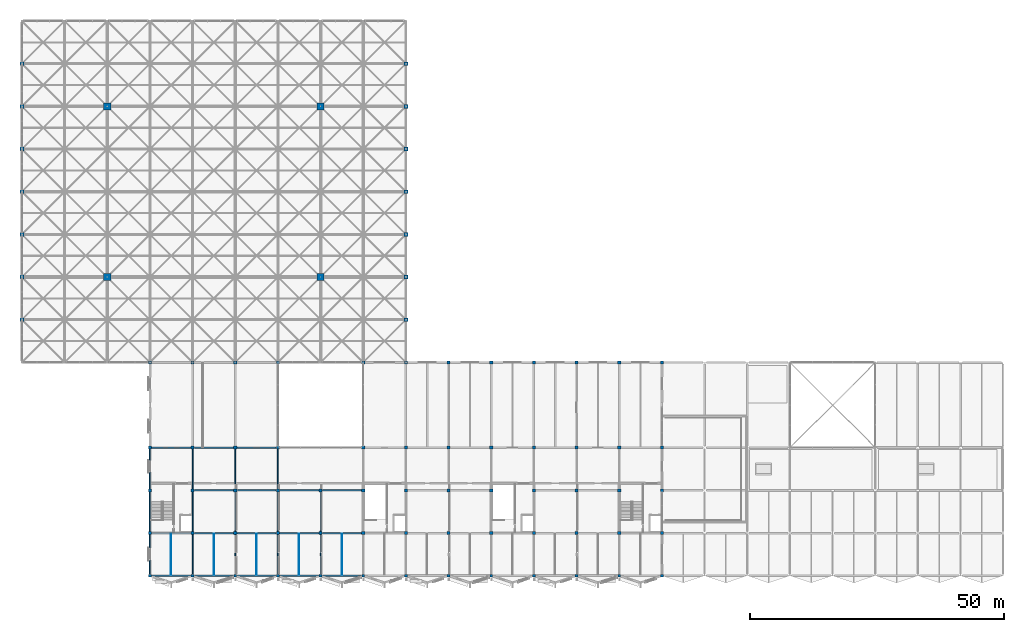
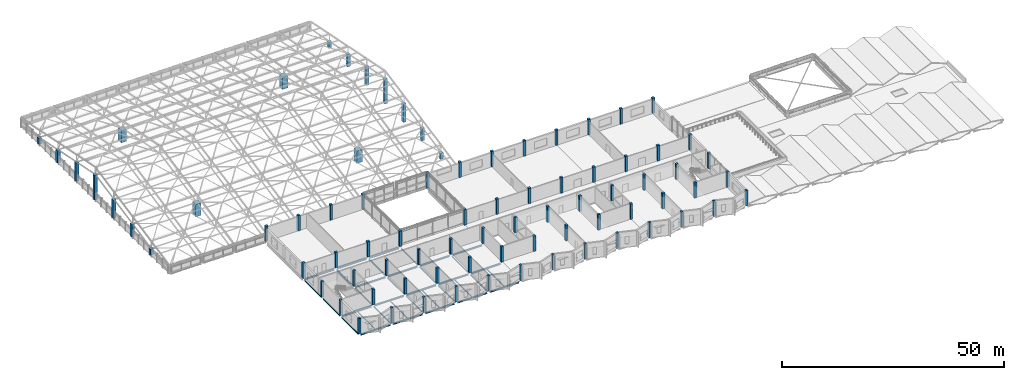
# One storey, part 1 of 81: 81 columns, 36 beams.
"""IFC4 building model written with IfcOpenShell, lengths in metres."""

from ifc_helpers import new_model, si_unit, direction, frame, origin, origin_2d, place, context, subcontext, project, spatial, rectangle, i_section, extrude, material, material_profile, profile_set, type_object, element, save


model = new_model("IFC4")

# Units and contexts
model_context = context("Model", 3, precision=1e-05, world=origin(), true_north=direction((0.0, 1.0)))
body_context = subcontext(model_context, "Body", "Model", "MODEL_VIEW")
ifc_project = project(units=[si_unit("LENGTHUNIT", "METRE"), si_unit("AREAUNIT", "SQUARE_METRE"), si_unit("VOLUMEUNIT", "CUBIC_METRE"), si_unit("PLANEANGLEUNIT", "RADIAN"), si_unit("MASSUNIT", "GRAM", prefix="KILO")], contexts=[model_context])

# Site, building, storey
site_placement = place(None, origin())
site = spatial("IfcSite", under=ifc_project, at=site_placement, CompositionType="ELEMENT")
building_placement = place(site_placement, origin())
building = spatial("IfcBuilding", under=site, at=building_placement, Name="Qawsi Khor Wholesale Market", CompositionType="ELEMENT")
storey_placement = place(building_placement, frame((0.0, 0.0, 16.199951171875)))
storey = spatial("IfcBuildingStorey", under=building, at=storey_placement, Name="L03", CompositionType="ELEMENT", Elevation=16.199951171875)

# Columns
ifc_material_1 = material(Name="Concrete C40/50", Category="concrete")
ifc_material_profile_1 = material_profile(ifc_material_1, rectangle(XDim=0.550048828125, YDim=0.550048828125, at=origin_2d()), Name="RC 550x550")
ifc_profile_set_1 = profile_set([ifc_material_profile_1], Name="Concrete C40/50")
column_type_1 = type_object("IfcColumnType", Name="Column RC 550x550", PredefinedType="COLUMN", material=ifc_profile_set_1)
for number, where, z_axis, x_axis, name in (
    (1, (25.199951171875, 0.0, 0.0), (0.0, 0.0, 1.0), (1.0, 0.0, 0.0), "Column RC 550x550 L03 (3,0)"),
    (2, (33.60009765625, 0.0, 0.0), (0.0, 0.0, 1.0), (1.0, 0.0, 0.0), "Column RC 550x550 L03 (4,0)"),
    (3, (42.0, 0.0, 0.0), (0.0, 0.0, 1.0), (1.0, 0.0, 0.0), "Column RC 550x550 L03 (5,0)"),
    (4, (50.39990234375, 0.0, 0.0), (0.0, 0.0, 1.0), (1.0, 0.0, 0.0), "Column RC 550x550 L03 (6,0)"),
    (5, (58.800048828125, 0.0, 0.0), (0.0, 0.0, 1.0), (1.0, 0.0, 0.0), "Column RC 550x550 L03 (7,0)"),
    (6, (67.199951171875, 0.0, 0.0), (0.0, 0.0, 1.0), (1.0, 0.0, 0.0), "Column RC 550x550 L03 (8,0)"),
    (7, (75.60009765625, 0.0, 0.0), (0.0, 0.0, 1.0), (1.0, 0.0, 0.0), "Column RC 550x550 L03 (9,0)"),
    (8, (84.0, 0.0, 0.0), (0.0, 0.0, 1.0), (1.0, 0.0, 0.0), "Column RC 550x550 L03 (10,0)"),
    (9, (92.39990234375, 0.0, 0.0), (0.0, 0.0, 1.0), (1.0, 0.0, 0.0), "Column RC 550x550 L03 (11,0)"),
    (10, (100.800048828125, 0.0, 0.0), (0.0, 0.0, 1.0), (1.0, 0.0, 0.0), "Column RC 550x550 L03 (12,0)"),
    (11, (109.199951171875, 0.0, 0.0), (0.0, 0.0, 1.0), (1.0, 0.0, 0.0), "Column RC 550x550 L03 (13,0)"),
    (12, (117.60009765625, 0.0, 0.0), (0.0, 0.0, 1.0), (1.0, 0.0, 0.0), "Column RC 550x550 L03 (14,0)"),
    (13, (126.0, 0.0, 0.0), (0.0, 0.0, 1.0), (1.0, 0.0, 0.0), "Column RC 550x550 L03 (15,0)"),
):
    element("IfcColumn", number, at=place(storey_placement, frame(where, z_axis=z_axis, x_axis=x_axis)), inside=storey, type_object=column_type_1, Name=name, PredefinedType="COLUMN", context=body_context, shape_type="SweptSolid", body=[
        extrude(rectangle(XDim=0.550048828125, YDim=0.550048828125, at=origin_2d()), origin(), (0.0, 0.0, 1.0), 4.260009765625),
    ])
ifc_material_profile_2 = material_profile(ifc_material_1, rectangle(XDim=0.60009765625, YDim=0.60009765625, at=origin_2d()), Name="RC 600x600")
ifc_profile_set_2 = profile_set([ifc_material_profile_2], Name="Concrete C40/50")
column_type_2 = type_object("IfcColumnType", Name="Column RC 600x600", PredefinedType="COLUMN", material=ifc_profile_set_2)
for number, where, z_axis, x_axis, name in (
    (14, (25.199951171875, 8.39990234375, 0.0), (0.0, 0.0, 1.0), (1.0, 0.0, 0.0), "Column RC 600x600 L03 (3,1)"),
    (15, (25.199951171875, 16.800048828125, 0.0), (0.0, 0.0, 1.0), (1.0, 0.0, 0.0), "Column RC 600x600 L03 (3,2)"),
    (16, (25.199951171875, 25.199951171875, 0.0), (0.0, 0.0, 1.0), (1.0, 0.0, 0.0), "Column RC 600x600 L03 (3,3)"),
    (17, (25.199951171875, 42.0, 0.0), (0.0, 0.0, 1.0), (1.0, 0.0, 0.0), "Column RC 600x600 L03 (3,5)"),
    (18, (33.60009765625, 8.39990234375, 0.0), (0.0, 0.0, 1.0), (1.0, 0.0, 0.0), "Column RC 600x600 L03 (4,1)"),
    (19, (33.60009765625, 16.800048828125, 0.0), (0.0, 0.0, 1.0), (1.0, 0.0, 0.0), "Column RC 600x600 L03 (4,2)"),
    (20, (33.60009765625, 25.199951171875, 0.0), (0.0, 0.0, 1.0), (1.0, 0.0, 0.0), "Column RC 600x600 L03 (4,3)"),
    (21, (33.60009765625, 42.0, 0.0), (0.0, 0.0, 1.0), (1.0, 0.0, 0.0), "Column RC 600x600 L03 (4,5)"),
    (22, (42.0, 8.39990234375, 0.0), (0.0, 0.0, 1.0), (1.0, 0.0, 0.0), "Column RC 600x600 L03 (5,1)"),
    (23, (42.0, 16.800048828125, 0.0), (0.0, 0.0, 1.0), (1.0, 0.0, 0.0), "Column RC 600x600 L03 (5,2)"),
    (24, (42.0, 25.199951171875, 0.0), (0.0, 0.0, 1.0), (1.0, 0.0, 0.0), "Column RC 600x600 L03 (5,3)"),
    (25, (42.0, 42.0, 0.0), (0.0, 0.0, 1.0), (1.0, 0.0, 0.0), "Column RC 600x600 L03 (5,5)"),
    (26, (50.39990234375, 8.39990234375, 0.0), (0.0, 0.0, 1.0), (1.0, 0.0, 0.0), "Column RC 600x600 L03 (6,1)"),
    (27, (50.39990234375, 16.800048828125, 0.0), (0.0, 0.0, 1.0), (1.0, 0.0, 0.0), "Column RC 600x600 L03 (6,2)"),
    (28, (50.39990234375, 25.199951171875, 0.0), (0.0, 0.0, 1.0), (1.0, 0.0, 0.0), "Column RC 600x600 L03 (6,3)"),
    (29, (50.39990234375, 42.0, 0.0), (0.0, 0.0, 1.0), (1.0, 0.0, 0.0), "Column RC 600x600 L03 (6,5)"),
    (30, (58.800048828125, 8.39990234375, 0.0), (0.0, 0.0, 1.0), (1.0, 0.0, 0.0), "Column RC 600x600 L03 (7,1)"),
    (31, (58.800048828125, 16.800048828125, 0.0), (0.0, 0.0, 1.0), (1.0, 0.0, 0.0), "Column RC 600x600 L03 (7,2)"),
    (32, (67.199951171875, 8.39990234375, 0.0), (0.0, 0.0, 1.0), (1.0, 0.0, 0.0), "Column RC 600x600 L03 (8,1)"),
    (33, (67.199951171875, 16.800048828125, 0.0), (0.0, 0.0, 1.0), (1.0, 0.0, 0.0), "Column RC 600x600 L03 (8,2)"),
    (34, (67.199951171875, 25.199951171875, 0.0), (0.0, 0.0, 1.0), (1.0, 0.0, 0.0), "Column RC 600x600 L03 (8,3)"),
    (35, (67.199951171875, 42.0, 0.0), (0.0, 0.0, 1.0), (1.0, 0.0, 0.0), "Column RC 600x600 L03 (8,5)"),
    (36, (75.60009765625, 8.39990234375, 0.0), (0.0, 0.0, 1.0), (1.0, 0.0, 0.0), "Column RC 600x600 L03 (9,1)"),
    (37, (75.60009765625, 16.800048828125, 0.0), (0.0, 0.0, 1.0), (1.0, 0.0, 0.0), "Column RC 600x600 L03 (9,2)"),
    (38, (75.60009765625, 25.199951171875, 0.0), (0.0, 0.0, 1.0), (1.0, 0.0, 0.0), "Column RC 600x600 L03 (9,3)"),
    (39, (75.60009765625, 42.0, 0.0), (0.0, 0.0, 1.0), (1.0, 0.0, 0.0), "Column RC 600x600 L03 (9,5)"),
    (40, (84.0, 8.39990234375, 0.0), (0.0, 0.0, 1.0), (1.0, 0.0, 0.0), "Column RC 600x600 L03 (10,1)"),
    (41, (84.0, 16.800048828125, 0.0), (0.0, 0.0, 1.0), (1.0, 0.0, 0.0), "Column RC 600x600 L03 (10,2)"),
    (42, (84.0, 25.199951171875, 0.0), (0.0, 0.0, 1.0), (1.0, 0.0, 0.0), "Column RC 600x600 L03 (10,3)"),
    (43, (84.0, 42.0, 0.0), (0.0, 0.0, 1.0), (1.0, 0.0, 0.0), "Column RC 600x600 L03 (10,5)"),
    (44, (92.39990234375, 8.39990234375, 0.0), (0.0, 0.0, 1.0), (1.0, 0.0, 0.0), "Column RC 600x600 L03 (11,1)"),
    (45, (92.39990234375, 16.800048828125, 0.0), (0.0, 0.0, 1.0), (1.0, 0.0, 0.0), "Column RC 600x600 L03 (11,2)"),
    (46, (92.39990234375, 25.199951171875, 0.0), (0.0, 0.0, 1.0), (1.0, 0.0, 0.0), "Column RC 600x600 L03 (11,3)"),
    (47, (92.39990234375, 42.0, 0.0), (0.0, 0.0, 1.0), (1.0, 0.0, 0.0), "Column RC 600x600 L03 (11,5)"),
    (48, (100.800048828125, 8.39990234375, 0.0), (0.0, 0.0, 1.0), (1.0, 0.0, 0.0), "Column RC 600x600 L03 (12,1)"),
    (49, (100.800048828125, 16.800048828125, 0.0), (0.0, 0.0, 1.0), (1.0, 0.0, 0.0), "Column RC 600x600 L03 (12,2)"),
    (50, (100.800048828125, 25.199951171875, 0.0), (0.0, 0.0, 1.0), (1.0, 0.0, 0.0), "Column RC 600x600 L03 (12,3)"),
    (51, (100.800048828125, 42.0, 0.0), (0.0, 0.0, 1.0), (1.0, 0.0, 0.0), "Column RC 600x600 L03 (12,5)"),
    (52, (109.199951171875, 8.39990234375, 0.0), (0.0, 0.0, 1.0), (1.0, 0.0, 0.0), "Column RC 600x600 L03 (13,1)"),
    (53, (109.199951171875, 16.800048828125, 0.0), (0.0, 0.0, 1.0), (1.0, 0.0, 0.0), "Column RC 600x600 L03 (13,2)"),
    (54, (109.199951171875, 25.199951171875, 0.0), (0.0, 0.0, 1.0), (1.0, 0.0, 0.0), "Column RC 600x600 L03 (13,3)"),
    (55, (109.199951171875, 42.0, 0.0), (0.0, 0.0, 1.0), (1.0, 0.0, 0.0), "Column RC 600x600 L03 (13,5)"),
    (56, (117.60009765625, 8.39990234375, 0.0), (0.0, 0.0, 1.0), (1.0, 0.0, 0.0), "Column RC 600x600 L03 (14,1)"),
    (57, (117.60009765625, 16.800048828125, 0.0), (0.0, 0.0, 1.0), (1.0, 0.0, 0.0), "Column RC 600x600 L03 (14,2)"),
    (58, (117.60009765625, 25.199951171875, 0.0), (0.0, 0.0, 1.0), (1.0, 0.0, 0.0), "Column RC 600x600 L03 (14,3)"),
    (59, (117.60009765625, 42.0, 0.0), (0.0, 0.0, 1.0), (1.0, 0.0, 0.0), "Column RC 600x600 L03 (14,5)"),
    (60, (126.0, 8.39990234375, 0.0), (0.0, 0.0, 1.0), (1.0, 0.0, 0.0), "Column RC 600x600 L03 (15,1)"),
    (61, (126.0, 16.800048828125, 0.0), (0.0, 0.0, 1.0), (1.0, 0.0, 0.0), "Column RC 600x600 L03 (15,2)"),
    (62, (126.0, 25.199951171875, 0.0), (0.0, 0.0, 1.0), (1.0, 0.0, 0.0), "Column RC 600x600 L03 (15,3)"),
    (63, (126.0, 42.0, 0.0), (0.0, 0.0, 1.0), (1.0, 0.0, 0.0), "Column RC 600x600 L03 (15,5)"),
):
    element("IfcColumn", number, at=place(storey_placement, frame(where, z_axis=z_axis, x_axis=x_axis)), inside=storey, type_object=column_type_2, Name=name, PredefinedType="COLUMN", context=body_context, shape_type="SweptSolid", body=[
        extrude(rectangle(XDim=0.60009765625, YDim=0.60009765625, at=origin_2d()), origin(), (0.0, 0.0, 1.0), 4.260009765625),
    ])
ifc_material_profile_3 = material_profile(ifc_material_1, rectangle(XDim=0.75, YDim=0.75, at=origin_2d()), Name="RC 750x750")
ifc_profile_set_3 = profile_set([ifc_material_profile_3], Name="Concrete C40/50")
column_type_3 = type_object("IfcColumnType", Name="Column RC 750x750", PredefinedType="COLUMN", material=ifc_profile_set_3)
column_1_placement = place(storey_placement, frame((0.0, 50.39990234375, 0.0), z_axis=(0.0, 0.0, 1.0), x_axis=(1.0, 0.0, 0.0)))
element("IfcColumn", 64, at=column_1_placement, inside=storey, type_object=column_type_3, Name="Space frame support pier WH (0,6)", PredefinedType="COLUMN", context=body_context, shape_type="SweptSolid", body=[
    extrude(rectangle(XDim=0.75, YDim=0.75, at=origin_2d()), origin(), (0.0, 0.0, 1.0), 1.670166015625),
])
column_2_placement = place(storey_placement, frame((0.0, 58.800048828125, 0.0), z_axis=(0.0, 0.0, 1.0), x_axis=(1.0, 0.0, 0.0)))
element("IfcColumn", 65, at=column_2_placement, inside=storey, type_object=column_type_3, Name="Space frame support pier WH (0,7)", PredefinedType="COLUMN", context=body_context, shape_type="SweptSolid", body=[
    extrude(rectangle(XDim=0.75, YDim=0.75, at=origin_2d()), origin(), (0.0, 0.0, 1.0), 3.3701171875),
])
column_3_placement = place(storey_placement, frame((0.0, 67.199951171875, 0.0), z_axis=(0.0, 0.0, 1.0), x_axis=(1.0, 0.0, 0.0)))
element("IfcColumn", 66, at=column_3_placement, inside=storey, type_object=column_type_3, Name="Space frame support pier WH (0,8)", PredefinedType="COLUMN", context=body_context, shape_type="SweptSolid", body=[
    extrude(rectangle(XDim=0.75, YDim=0.75, at=origin_2d()), origin(), (0.0, 0.0, 1.0), 5.070068359375),
])
column_4_placement = place(storey_placement, frame((0.0, 75.60009765625, 0.0), z_axis=(0.0, 0.0, 1.0), x_axis=(1.0, 0.0, 0.0)))
element("IfcColumn", 67, at=column_4_placement, inside=storey, type_object=column_type_3, Name="Space frame support pier WH (0,9)", PredefinedType="COLUMN", context=body_context, shape_type="SweptSolid", body=[
    extrude(rectangle(XDim=0.75, YDim=0.75, at=origin_2d()), origin(), (0.0, 0.0, 1.0), 6.77001953125),
])
column_5_placement = place(storey_placement, frame((0.0, 84.0, 0.0), z_axis=(0.0, 0.0, 1.0), x_axis=(1.0, 0.0, 0.0)))
element("IfcColumn", 68, at=column_5_placement, inside=storey, type_object=column_type_3, Name="Space frame support pier WH (0,10)", PredefinedType="COLUMN", context=body_context, shape_type="SweptSolid", body=[
    extrude(rectangle(XDim=0.75, YDim=0.75, at=origin_2d()), origin(), (0.0, 0.0, 1.0), 5.070068359375),
])
column_6_placement = place(storey_placement, frame((0.0, 92.39990234375, 0.0), z_axis=(0.0, 0.0, 1.0), x_axis=(1.0, 0.0, 0.0)))
element("IfcColumn", 69, at=column_6_placement, inside=storey, type_object=column_type_3, Name="Space frame support pier WH (0,11)", PredefinedType="COLUMN", context=body_context, shape_type="SweptSolid", body=[
    extrude(rectangle(XDim=0.75, YDim=0.75, at=origin_2d()), origin(), (0.0, 0.0, 1.0), 3.3701171875),
])
for number, where, z_axis, x_axis, name in (
    (70, (0.0, 100.800048828125, 0.0), (0.0, 0.0, 1.0), (1.0, 0.0, 0.0), "Space frame support pier WH (0,12)"),
    (71, (75.60009765625, 50.39990234375, 0.0), (0.0, 0.0, 1.0), (1.0, 0.0, 0.0), "Space frame support pier WH (9,6)"),
):
    element("IfcColumn", number, at=place(storey_placement, frame(where, z_axis=z_axis, x_axis=x_axis)), inside=storey, type_object=column_type_3, Name=name, PredefinedType="COLUMN", context=body_context, shape_type="SweptSolid", body=[
        extrude(rectangle(XDim=0.75, YDim=0.75, at=origin_2d()), origin(), (0.0, 0.0, 1.0), 1.670166015625),
    ])
column_7_placement = place(storey_placement, frame((75.60009765625, 58.800048828125, 0.0), z_axis=(0.0, 0.0, 1.0), x_axis=(1.0, 0.0, 0.0)))
element("IfcColumn", 72, at=column_7_placement, inside=storey, type_object=column_type_3, Name="Space frame support pier WH (9,7)", PredefinedType="COLUMN", context=body_context, shape_type="SweptSolid", body=[
    extrude(rectangle(XDim=0.75, YDim=0.75, at=origin_2d()), origin(), (0.0, 0.0, 1.0), 3.3701171875),
])
column_8_placement = place(storey_placement, frame((75.60009765625, 67.199951171875, 0.0), z_axis=(0.0, 0.0, 1.0), x_axis=(1.0, 0.0, 0.0)))
element("IfcColumn", 73, at=column_8_placement, inside=storey, type_object=column_type_3, Name="Space frame support pier WH (9,8)", PredefinedType="COLUMN", context=body_context, shape_type="SweptSolid", body=[
    extrude(rectangle(XDim=0.75, YDim=0.75, at=origin_2d()), origin(), (0.0, 0.0, 1.0), 5.070068359375),
])
column_9_placement = place(storey_placement, frame((75.60009765625, 75.60009765625, 0.0), z_axis=(0.0, 0.0, 1.0), x_axis=(1.0, 0.0, 0.0)))
element("IfcColumn", 74, at=column_9_placement, inside=storey, type_object=column_type_3, Name="Space frame support pier WH (9,9)", PredefinedType="COLUMN", context=body_context, shape_type="SweptSolid", body=[
    extrude(rectangle(XDim=0.75, YDim=0.75, at=origin_2d()), origin(), (0.0, 0.0, 1.0), 6.77001953125),
])
column_10_placement = place(storey_placement, frame((75.60009765625, 84.0, 0.0), z_axis=(0.0, 0.0, 1.0), x_axis=(1.0, 0.0, 0.0)))
element("IfcColumn", 75, at=column_10_placement, inside=storey, type_object=column_type_3, Name="Space frame support pier WH (9,10)", PredefinedType="COLUMN", context=body_context, shape_type="SweptSolid", body=[
    extrude(rectangle(XDim=0.75, YDim=0.75, at=origin_2d()), origin(), (0.0, 0.0, 1.0), 5.070068359375),
])
column_11_placement = place(storey_placement, frame((75.60009765625, 92.39990234375, 0.0), z_axis=(0.0, 0.0, 1.0), x_axis=(1.0, 0.0, 0.0)))
element("IfcColumn", 76, at=column_11_placement, inside=storey, type_object=column_type_3, Name="Space frame support pier WH (9,11)", PredefinedType="COLUMN", context=body_context, shape_type="SweptSolid", body=[
    extrude(rectangle(XDim=0.75, YDim=0.75, at=origin_2d()), origin(), (0.0, 0.0, 1.0), 3.3701171875),
])
column_12_placement = place(storey_placement, frame((75.60009765625, 100.800048828125, 0.0), z_axis=(0.0, 0.0, 1.0), x_axis=(1.0, 0.0, 0.0)))
element("IfcColumn", 77, at=column_12_placement, inside=storey, type_object=column_type_3, Name="Space frame support pier WH (9,12)", PredefinedType="COLUMN", context=body_context, shape_type="SweptSolid", body=[
    extrude(rectangle(XDim=0.75, YDim=0.75, at=origin_2d()), origin(), (0.0, 0.0, 1.0), 1.670166015625),
])
ifc_material_profile_4 = material_profile(ifc_material_1, rectangle(XDim=1.39990234375, YDim=1.39990234375, at=origin_2d()), Name="RC 1400x1400")
ifc_profile_set_4 = profile_set([ifc_material_profile_4], Name="Concrete C40/50")
column_type_4 = type_object("IfcColumnType", Name="Hall Mega-Column RC 1400x1400", PredefinedType="COLUMN", material=ifc_profile_set_4)
for number, where, z_axis, x_axis, name in (
    (78, (16.800048828125, 58.800048828125, 0.0), (0.0, 0.0, 1.0), (1.0, 0.0, 0.0), "Space frame support pier WH (2,7)"),
    (79, (16.800048828125, 92.39990234375, 0.0), (0.0, 0.0, 1.0), (1.0, 0.0, 0.0), "Space frame support pier WH (2,11)"),
    (80, (58.800048828125, 58.800048828125, 0.0), (0.0, 0.0, 1.0), (1.0, 0.0, 0.0), "Space frame support pier WH (7,7)"),
    (81, (58.800048828125, 92.39990234375, 0.0), (0.0, 0.0, 1.0), (1.0, 0.0, 0.0), "Space frame support pier WH (7,11)"),
):
    element("IfcColumn", number, at=place(storey_placement, frame(where, z_axis=z_axis, x_axis=x_axis)), inside=storey, type_object=column_type_4, Name=name, PredefinedType="COLUMN", context=body_context, shape_type="SweptSolid", body=[
        extrude(rectangle(XDim=1.39990234375, YDim=1.39990234375, at=origin_2d()), origin(), (0.0, 0.0, 1.0), 3.3701171875),
    ])

# Beams
ifc_material_2 = material(Name="Steel S355", Category="steel")
ifc_material_profile_5 = material_profile(ifc_material_2, i_section(OverallWidth=0.300048828125, OverallDepth=0.39990234375, WebThickness=0.013427734375, FlangeThickness=0.02392578125, FilletRadius=0.027099609375, at=origin_2d()), Name="HEB 400")
ifc_profile_set_5 = profile_set([ifc_material_profile_5], Name="Steel S355")
beam_type_1 = type_object("IfcBeamType", Name="Heavy Edge Girder HEB 400", PredefinedType="BEAM", material=ifc_profile_set_5)
for number, where, z_axis, x_axis, name in (
    (82, (25.550048828125, 0.0, -0.47998046875), (1.0, 0.0, 0.0), (0.0, 1.0, 0.0), "BM-X-L03-03_+00"),
    (83, (33.949951171875, 0.0, -0.47998046875), (1.0, 0.0, 0.0), (0.0, 1.0, 0.0), "BM-X-L03-04_+00"),
    (84, (42.35009765625, 0.0, -0.47998046875), (1.0, 0.0, 0.0), (0.0, 1.0, 0.0), "BM-X-L03-05_+00"),
    (85, (50.75, 0.0, -0.47998046875), (1.0, 0.0, 0.0), (0.0, 1.0, 0.0), "BM-X-L03-06_+00"),
):
    element("IfcBeam", number, at=place(storey_placement, frame(where, z_axis=z_axis, x_axis=x_axis)), inside=storey, type_object=beam_type_1, Name=name, PredefinedType="BEAM", context=body_context, shape_type="SweptSolid", body=[
        extrude(i_section(OverallWidth=0.300048828125, OverallDepth=0.39990234375, WebThickness=0.013427734375, FlangeThickness=0.02392578125, FilletRadius=0.027099609375, at=origin_2d()), origin(), (0.0, 0.0, 1.0), 7.699951171875),
    ])
beam_1_placement = place(storey_placement, frame((59.14990234375, 0.0, -0.47998046875), z_axis=(1.0, 0.0, 0.0), x_axis=(0.0, 1.0, 0.0)))
element("IfcBeam", 86, at=beam_1_placement, inside=storey, type_object=beam_type_1, Name="BM-X-L03-07_+00", PredefinedType="BEAM", context=body_context, shape_type="SweptSolid", body=[
    extrude(i_section(OverallWidth=0.300048828125, OverallDepth=0.39990234375, WebThickness=0.013427734375, FlangeThickness=0.02392578125, FilletRadius=0.027099609375, at=origin_2d()), origin(), (0.0, 0.0, 1.0), 7.7001953125),
])
ifc_material_profile_6 = material_profile(ifc_material_2, i_section(OverallWidth=0.300048828125, OverallDepth=0.43994140625, WebThickness=0.011474609375, FlangeThickness=0.02099609375, FilletRadius=0.027099609375, at=origin_2d()), Name="HEA 450")
ifc_profile_set_6 = profile_set([ifc_material_profile_6], Name="Steel S355")
beam_type_2 = type_object("IfcBeamType", Name="Primary Girder HEA 450", PredefinedType="BEAM", material=ifc_profile_set_6)
for number, where, z_axis, x_axis, name in (
    (87, (25.550048828125, 8.39990234375, -0.5), (1.0, 0.0, 0.0), (0.0, 1.0, 0.0), "BM-X-L03-03_+01"),
    (88, (25.550048828125, 25.199951171875, -0.5), (1.0, 0.0, 0.0), (0.0, 1.0, 0.0), "BM-X-L03-03_+03"),
    (89, (33.949951171875, 8.39990234375, -0.5), (1.0, 0.0, 0.0), (0.0, 1.0, 0.0), "BM-X-L03-04_+01"),
    (90, (33.949951171875, 16.800048828125, -0.5), (1.0, 0.0, 0.0), (0.0, 1.0, 0.0), "BM-X-L03-04_+02"),
    (91, (33.949951171875, 25.199951171875, -0.5), (1.0, 0.0, 0.0), (0.0, 1.0, 0.0), "BM-X-L03-04_+03"),
    (92, (42.35009765625, 8.39990234375, -0.5), (1.0, 0.0, 0.0), (0.0, 1.0, 0.0), "BM-X-L03-05_+01"),
    (93, (42.35009765625, 16.800048828125, -0.5), (1.0, 0.0, 0.0), (0.0, 1.0, 0.0), "BM-X-L03-05_+02"),
    (94, (42.35009765625, 25.199951171875, -0.5), (1.0, 0.0, 0.0), (0.0, 1.0, 0.0), "BM-X-L03-05_+03"),
    (95, (50.75, 8.39990234375, -0.5), (1.0, 0.0, 0.0), (0.0, 1.0, 0.0), "BM-X-L03-06_+01"),
    (96, (50.75, 16.800048828125, -0.5), (1.0, 0.0, 0.0), (0.0, 1.0, 0.0), "BM-X-L03-06_+02"),
):
    element("IfcBeam", number, at=place(storey_placement, frame(where, z_axis=z_axis, x_axis=x_axis)), inside=storey, type_object=beam_type_2, Name=name, PredefinedType="BEAM", context=body_context, shape_type="SweptSolid", body=[
        extrude(i_section(OverallWidth=0.300048828125, OverallDepth=0.43994140625, WebThickness=0.011474609375, FlangeThickness=0.02099609375, FilletRadius=0.027099609375, at=origin_2d()), origin(), (0.0, 0.0, 1.0), 7.699951171875),
    ])
for number, where, z_axis, x_axis, name in (
    (97, (59.14990234375, 8.39990234375, -0.5), (1.0, 0.0, 0.0), (0.0, 1.0, 0.0), "BM-X-L03-07_+01"),
    (98, (59.14990234375, 16.800048828125, -0.5), (1.0, 0.0, 0.0), (0.0, 1.0, 0.0), "BM-X-L03-07_+02"),
):
    element("IfcBeam", number, at=place(storey_placement, frame(where, z_axis=z_axis, x_axis=x_axis)), inside=storey, type_object=beam_type_2, Name=name, PredefinedType="BEAM", context=body_context, shape_type="SweptSolid", body=[
        extrude(i_section(OverallWidth=0.300048828125, OverallDepth=0.43994140625, WebThickness=0.011474609375, FlangeThickness=0.02099609375, FilletRadius=0.027099609375, at=origin_2d()), origin(), (0.0, 0.0, 1.0), 7.7001953125),
    ])
ifc_material_profile_7 = material_profile(ifc_material_2, i_section(OverallWidth=0.10009765625, OverallDepth=0.199951171875, WebThickness=0.005615234375, FlangeThickness=0.008544921875, FilletRadius=0.011962890625, at=origin_2d()), Name="IPE 200")
ifc_profile_set_7 = profile_set([ifc_material_profile_7], Name="Steel S355")
beam_type_3 = type_object("IfcBeamType", Name="Roof Deck Joist IPE 200", PredefinedType="JOIST", material=ifc_profile_set_7)
for number, where, z_axis, x_axis, name in (
    (99, (29.39990234375, 0.14990234375, -0.3798828125), (0.0, 1.0, 0.0), (-1.0, 0.0, 0.0), "JST-S-L03-03"),
    (100, (37.800048828125, 0.14990234375, -0.3798828125), (0.0, 1.0, 0.0), (-1.0, 0.0, 0.0), "JST-S-L03-04"),
    (101, (46.199951171875, 0.14990234375, -0.3798828125), (0.0, 1.0, 0.0), (-1.0, 0.0, 0.0), "JST-S-L03-05"),
    (102, (54.60009765625, 0.14990234375, -0.3798828125), (0.0, 1.0, 0.0), (-1.0, 0.0, 0.0), "JST-S-L03-06"),
    (103, (63.0, 0.14990234375, -0.3798828125), (0.0, 1.0, 0.0), (-1.0, 0.0, 0.0), "JST-S-L03-07"),
):
    element("IfcBeam", number, at=place(storey_placement, frame(where, z_axis=z_axis, x_axis=x_axis)), inside=storey, type_object=beam_type_3, Name=name, PredefinedType="JOIST", context=body_context, shape_type="SweptSolid", body=[
        extrude(i_section(OverallWidth=0.10009765625, OverallDepth=0.199951171875, WebThickness=0.005615234375, FlangeThickness=0.008544921875, FilletRadius=0.011962890625, at=origin_2d()), origin(), (0.0, 0.0, 1.0), 8.10009765625),
    ])
ifc_material_profile_8 = material_profile(ifc_material_2, i_section(OverallWidth=0.169921875, OverallDepth=0.360107421875, WebThickness=0.008056640625, FlangeThickness=0.0126953125, FilletRadius=0.01806640625, at=origin_2d()), Name="IPE 360")
ifc_profile_set_8 = profile_set([ifc_material_profile_8], Name="Steel S355")
beam_type_4 = type_object("IfcBeamType", Name="Secondary Beam IPE 360", PredefinedType="BEAM", material=ifc_profile_set_8)
for number, where, z_axis, x_axis, name in (
    (104, (25.199951171875, 0.35009765625, -0.4599609375), (0.0, 1.0, 0.0), (-1.0, 0.0, 0.0), "BM-Y-L03-03_+00"),
    (105, (25.199951171875, 8.75, -0.4599609375), (0.0, 1.0, 0.0), (-1.0, 0.0, 0.0), "BM-Y-L03-03_+01"),
):
    element("IfcBeam", number, at=place(storey_placement, frame(where, z_axis=z_axis, x_axis=x_axis)), inside=storey, type_object=beam_type_4, Name=name, PredefinedType="BEAM", context=body_context, shape_type="SweptSolid", body=[
        extrude(i_section(OverallWidth=0.169921875, OverallDepth=0.360107421875, WebThickness=0.008056640625, FlangeThickness=0.0126953125, FilletRadius=0.01806640625, at=origin_2d()), origin(), (0.0, 0.0, 1.0), 7.699951171875),
    ])
beam_2_placement = place(storey_placement, frame((25.199951171875, 17.14990234375, -0.4599609375), z_axis=(0.0, 1.0, 0.0), x_axis=(-1.0, 0.0, 0.0)))
element("IfcBeam", 106, at=beam_2_placement, inside=storey, type_object=beam_type_4, Name="BM-Y-L03-03_+02", PredefinedType="BEAM", context=body_context, shape_type="SweptSolid", body=[
    extrude(i_section(OverallWidth=0.169921875, OverallDepth=0.360107421875, WebThickness=0.008056640625, FlangeThickness=0.0126953125, FilletRadius=0.01806640625, at=origin_2d()), origin(), (0.0, 0.0, 1.0), 7.7001953125),
])
for number, where, z_axis, x_axis, name in (
    (107, (33.60009765625, 0.35009765625, -0.4599609375), (0.0, 1.0, 0.0), (-1.0, 0.0, 0.0), "BM-Y-L03-04_+00"),
    (108, (33.60009765625, 8.75, -0.4599609375), (0.0, 1.0, 0.0), (-1.0, 0.0, 0.0), "BM-Y-L03-04_+01"),
):
    element("IfcBeam", number, at=place(storey_placement, frame(where, z_axis=z_axis, x_axis=x_axis)), inside=storey, type_object=beam_type_4, Name=name, PredefinedType="BEAM", context=body_context, shape_type="SweptSolid", body=[
        extrude(i_section(OverallWidth=0.169921875, OverallDepth=0.360107421875, WebThickness=0.008056640625, FlangeThickness=0.0126953125, FilletRadius=0.01806640625, at=origin_2d()), origin(), (0.0, 0.0, 1.0), 7.699951171875),
    ])
beam_3_placement = place(storey_placement, frame((33.60009765625, 17.14990234375, -0.4599609375), z_axis=(0.0, 1.0, 0.0), x_axis=(-1.0, 0.0, 0.0)))
element("IfcBeam", 109, at=beam_3_placement, inside=storey, type_object=beam_type_4, Name="BM-Y-L03-04_+02", PredefinedType="BEAM", context=body_context, shape_type="SweptSolid", body=[
    extrude(i_section(OverallWidth=0.169921875, OverallDepth=0.360107421875, WebThickness=0.008056640625, FlangeThickness=0.0126953125, FilletRadius=0.01806640625, at=origin_2d()), origin(), (0.0, 0.0, 1.0), 7.7001953125),
])
for number, where, z_axis, x_axis, name in (
    (110, (42.0, 0.35009765625, -0.4599609375), (0.0, 1.0, 0.0), (-1.0, 0.0, 0.0), "BM-Y-L03-05_+00"),
    (111, (42.0, 8.75, -0.4599609375), (0.0, 1.0, 0.0), (-1.0, 0.0, 0.0), "BM-Y-L03-05_+01"),
):
    element("IfcBeam", number, at=place(storey_placement, frame(where, z_axis=z_axis, x_axis=x_axis)), inside=storey, type_object=beam_type_4, Name=name, PredefinedType="BEAM", context=body_context, shape_type="SweptSolid", body=[
        extrude(i_section(OverallWidth=0.169921875, OverallDepth=0.360107421875, WebThickness=0.008056640625, FlangeThickness=0.0126953125, FilletRadius=0.01806640625, at=origin_2d()), origin(), (0.0, 0.0, 1.0), 7.699951171875),
    ])
beam_4_placement = place(storey_placement, frame((42.0, 17.14990234375, -0.4599609375), z_axis=(0.0, 1.0, 0.0), x_axis=(-1.0, 0.0, 0.0)))
element("IfcBeam", 112, at=beam_4_placement, inside=storey, type_object=beam_type_4, Name="BM-Y-L03-05_+02", PredefinedType="BEAM", context=body_context, shape_type="SweptSolid", body=[
    extrude(i_section(OverallWidth=0.169921875, OverallDepth=0.360107421875, WebThickness=0.008056640625, FlangeThickness=0.0126953125, FilletRadius=0.01806640625, at=origin_2d()), origin(), (0.0, 0.0, 1.0), 7.7001953125),
])
for number, where, z_axis, x_axis, name in (
    (113, (50.39990234375, 0.35009765625, -0.4599609375), (0.0, 1.0, 0.0), (-1.0, 0.0, 0.0), "BM-Y-L03-06_+00"),
    (114, (50.39990234375, 8.75, -0.4599609375), (0.0, 1.0, 0.0), (-1.0, 0.0, 0.0), "BM-Y-L03-06_+01"),
):
    element("IfcBeam", number, at=place(storey_placement, frame(where, z_axis=z_axis, x_axis=x_axis)), inside=storey, type_object=beam_type_4, Name=name, PredefinedType="BEAM", context=body_context, shape_type="SweptSolid", body=[
        extrude(i_section(OverallWidth=0.169921875, OverallDepth=0.360107421875, WebThickness=0.008056640625, FlangeThickness=0.0126953125, FilletRadius=0.01806640625, at=origin_2d()), origin(), (0.0, 0.0, 1.0), 7.699951171875),
    ])
beam_5_placement = place(storey_placement, frame((50.39990234375, 17.14990234375, -0.4599609375), z_axis=(0.0, 1.0, 0.0), x_axis=(-1.0, 0.0, 0.0)))
element("IfcBeam", 115, at=beam_5_placement, inside=storey, type_object=beam_type_4, Name="BM-Y-L03-06_+02", PredefinedType="BEAM", context=body_context, shape_type="SweptSolid", body=[
    extrude(i_section(OverallWidth=0.169921875, OverallDepth=0.360107421875, WebThickness=0.008056640625, FlangeThickness=0.0126953125, FilletRadius=0.01806640625, at=origin_2d()), origin(), (0.0, 0.0, 1.0), 7.7001953125),
])
for number, where, z_axis, x_axis, name in (
    (116, (58.800048828125, 0.35009765625, -0.4599609375), (0.0, 1.0, 0.0), (-1.0, 0.0, 0.0), "BM-Y-L03-07_+00"),
    (117, (58.800048828125, 8.75, -0.4599609375), (0.0, 1.0, 0.0), (-1.0, 0.0, 0.0), "BM-Y-L03-07_+01"),
):
    element("IfcBeam", number, at=place(storey_placement, frame(where, z_axis=z_axis, x_axis=x_axis)), inside=storey, type_object=beam_type_4, Name=name, PredefinedType="BEAM", context=body_context, shape_type="SweptSolid", body=[
        extrude(i_section(OverallWidth=0.169921875, OverallDepth=0.360107421875, WebThickness=0.008056640625, FlangeThickness=0.0126953125, FilletRadius=0.01806640625, at=origin_2d()), origin(), (0.0, 0.0, 1.0), 7.699951171875),
    ])

save(model, "model.ifc")
